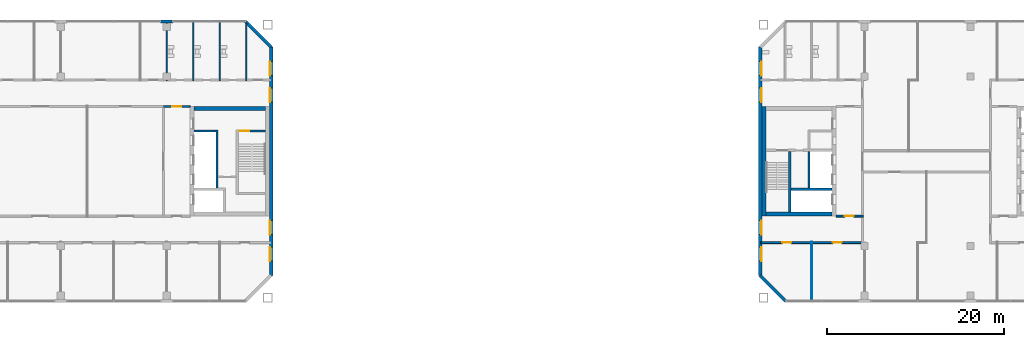
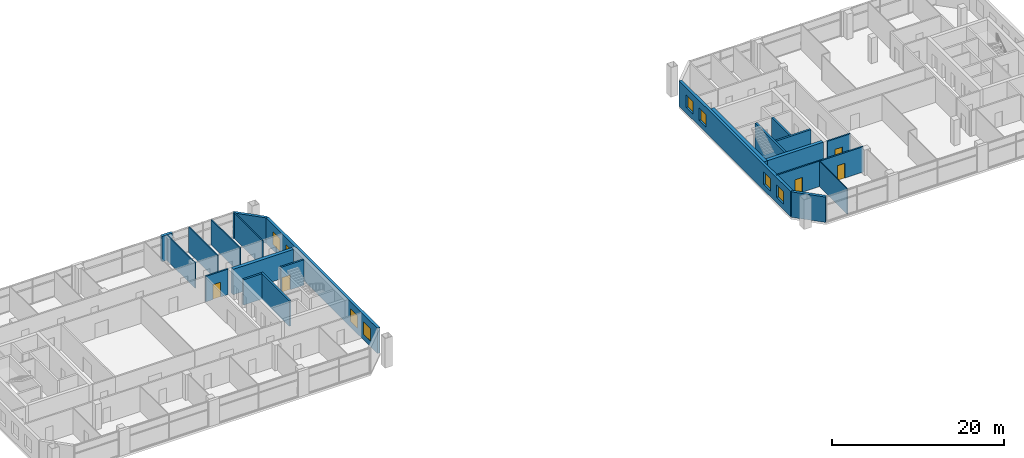
# One storey, part 13 of 19: 22 walls, 8 windows, 5 doors, 13 openings.
"""IFC4 building model written with IfcOpenShell, lengths in metres."""

from ifc_helpers import new_model, si_unit, direction, frame, frame_2d, origin, place, context, subcontext, project, spatial, rectangle, extrude, material, layer, layer_set, type_object, element, fill, save


model = new_model("IFC4")

# Units and contexts
model_context = context("Model", 3, precision=1e-05, world=origin(), true_north=direction((0.0, 1.0)))
body_context = subcontext(model_context, "Body", "Model", "MODEL_VIEW")
ifc_project = project(units=[si_unit("LENGTHUNIT", "METRE"), si_unit("AREAUNIT", "SQUARE_METRE"), si_unit("VOLUMEUNIT", "CUBIC_METRE"), si_unit("PLANEANGLEUNIT", "RADIAN"), si_unit("MASSUNIT", "GRAM", prefix="KILO")], contexts=[model_context])

# Site, building, storey
site_placement = place(None, origin())
site = spatial("IfcSite", under=ifc_project, at=site_placement, CompositionType="ELEMENT")
building_placement = place(site_placement, origin())
building = spatial("IfcBuilding", under=site, at=building_placement, Name="Tuart Gate Housing", CompositionType="ELEMENT")
storey_placement = place(building_placement, frame((0.0, 0.0, 171.60009765625)))
storey = spatial("IfcBuildingStorey", under=building, at=storey_placement, Name="L48", CompositionType="ELEMENT", Elevation=171.60009765625)

# Walls
ifc_material_1 = material(Name="Gypsum board on steel studs", Category="steel")
ifc_layer_1 = layer(ifc_material_1, 0.14990234375)
ifc_layer_set_1 = layer_set([ifc_layer_1], Name="Bathroom wall 150")
wall_type_1 = type_object("IfcWallType", Name="Bathroom wall 150", PredefinedType="PLUMBINGWALL", material=ifc_layer_set_1)
for number, where, z_axis, x_axis, name in (
    (1, (64.0, 79.10009765625, 0.0), (0.0, 0.0, 1.0), (0.0, 1.0, 0.0), "Bathroom wall 150"),
    (2, (67.0, 79.10009765625, 0.0), (0.0, 0.0, 1.0), (0.0, 1.0, 0.0), "Bathroom wall 150"),
    (3, (70.0, 79.10009765625, 0.0), (0.0, 0.0, 1.0), (0.0, 1.0, 0.0), "Bathroom wall 150"),
):
    element("IfcWall", number, at=place(storey_placement, frame(where, z_axis=z_axis, x_axis=x_axis)), inside=storey, type_object=wall_type_1, Name=name, PredefinedType="PLUMBINGWALL", context=body_context, shape_type="SweptSolid", body=[
        extrude(rectangle(XDim=6.659912109375, YDim=0.14990234375, at=frame_2d((3.330078125, 0.0))), origin(), (0.0, 0.0, 1.0), 3.599853515625),
    ])
wall_1_placement = place(storey_placement, frame((73.0, 79.10009765625, 0.0), z_axis=(0.0, 0.0, 1.0), x_axis=(0.0, 1.0, 0.0)))
element("IfcWall", 4, at=wall_1_placement, inside=storey, type_object=wall_type_1, Name="Bathroom wall 150", PredefinedType="PLUMBINGWALL", context=body_context, shape_type="SweptSolid", body=[
    extrude(rectangle(XDim=6.510986328125, YDim=0.14990234375, at=frame_2d((3.25537109375, 0.0))), origin(), (0.0, 0.0, 1.0), 3.599853515625),
])

# Wall, openings, windows
ifc_material_2 = material(Name="Brick", Category="masonry")
ifc_layer_2 = layer(ifc_material_2, 0.360107421875)
ifc_layer_set_2 = layer_set([ifc_layer_2], Name="Brick pier and spandrel wall 360")
wall_type_2 = type_object("IfcWallType", Name="Brick pier and spandrel wall 360", PredefinedType="STANDARD", material=ifc_layer_set_2)
wall_2_placement = place(storey_placement, frame((75.820068359375, 57.07470703125, 0.0), z_axis=(0.0, 0.0, 1.0), x_axis=(0.0, 1.0, 0.0)))
wall_2 = element("IfcWall", 5, at=wall_2_placement, inside=storey, type_object=wall_type_2, Name="External wall A-E L48", PredefinedType="STANDARD", context=body_context, shape_type="SweptSolid", body=[
    extrude(rectangle(XDim=25.850830078125, YDim=0.360107421875, at=frame_2d((12.92529296875, 0.0))), origin(), (0.0, 0.0, 1.0), 3.599853515625),
])
opening_1_placement = place(wall_2_placement, frame((1.62548828125, 0.0, 0.800048828125)))
opening_1 = element("IfcOpeningElement", 6, at=opening_1_placement, cuts=wall_2, Name="Opening W1", PredefinedType="OPENING", context=body_context, shape_type="SweptSolid", body=[
    extrude(rectangle(XDim=1.60009765625, YDim=1.800048828125, at=frame_2d((0.800048828125, 0.89990234375))), frame((0.0, 0.18994140625, 0.0), z_axis=(0.0, -1.0, 0.0), x_axis=(1.0, 0.0, 0.0)), (0.0, 0.0, 1.0), 0.380126953125),
])
opening_2_placement = place(wall_2_placement, frame((4.62548828125, 0.0, 0.800048828125)))
opening_2 = element("IfcOpeningElement", 7, at=opening_2_placement, cuts=wall_2, Name="Opening W1", PredefinedType="OPENING", context=body_context, shape_type="SweptSolid", body=[
    extrude(rectangle(XDim=1.60009765625, YDim=1.800048828125, at=frame_2d((0.800048828125, 0.89990234375))), frame((0.0, 0.18994140625, 0.0), z_axis=(0.0, -1.0, 0.0), x_axis=(1.0, 0.0, 0.0)), (0.0, 0.0, 1.0), 0.380126953125),
])
opening_3_placement = place(wall_2_placement, frame((19.62548828125, 0.0, 0.800048828125)))
opening_3 = element("IfcOpeningElement", 8, at=opening_3_placement, cuts=wall_2, Name="Opening W1", PredefinedType="OPENING", context=body_context, shape_type="SweptSolid", body=[
    extrude(rectangle(XDim=1.60009765625, YDim=1.800048828125, at=frame_2d((0.800048828125, 0.89990234375))), frame((0.0, 0.18994140625, 0.0), z_axis=(0.0, -1.0, 0.0), x_axis=(1.0, 0.0, 0.0)), (0.0, 0.0, 1.0), 0.380126953125),
])
opening_4_placement = place(wall_2_placement, frame((22.62548828125, 0.0, 0.800048828125)))
opening_4 = element("IfcOpeningElement", 9, at=opening_4_placement, cuts=wall_2, Name="Opening W1", PredefinedType="OPENING", context=body_context, shape_type="SweptSolid", body=[
    extrude(rectangle(XDim=1.60009765625, YDim=1.800048828125, at=frame_2d((0.800048828125, 0.89990234375))), frame((0.0, 0.18994140625, 0.0), z_axis=(0.0, -1.0, 0.0), x_axis=(1.0, 0.0, 0.0)), (0.0, 0.0, 1.0), 0.380126953125),
])
ifc_material_3 = material(Name="Aluminium frame with clear glass", Category="aluminium")
window_type = type_object("IfcWindowType", Name="Punched window 1600 x 1800", PartitioningType="SINGLE_PANEL", PredefinedType="WINDOW", material=ifc_material_3)
window_1_placement = place(opening_1_placement, origin())
window_1 = element("IfcWindow", 10, at=window_1_placement, inside=storey, type_object=window_type, Name="Window W1", OverallHeight=1.800048828125, OverallWidth=1.60009765625, PartitioningType="SINGLE_PANEL", PredefinedType="WINDOW", context=body_context, shape_type="SweptSolid", body=[
    extrude(rectangle(XDim=1.60009765625, YDim=1.800048828125, at=frame_2d((0.800048828125, 0.89990234375))), frame((0.0, 0.150146484375, 0.0), z_axis=(0.0, -1.0, 0.0), x_axis=(1.0, 0.0, 0.0)), (0.0, 0.0, 1.0), 0.06005859375),
])
fill(opening_1, window_1)
window_2_placement = place(opening_2_placement, origin())
window_2 = element("IfcWindow", 11, at=window_2_placement, inside=storey, type_object=window_type, Name="Window W1", OverallHeight=1.800048828125, OverallWidth=1.60009765625, PartitioningType="SINGLE_PANEL", PredefinedType="WINDOW", context=body_context, shape_type="SweptSolid", body=[
    extrude(rectangle(XDim=1.60009765625, YDim=1.800048828125, at=frame_2d((0.800048828125, 0.89990234375))), frame((0.0, 0.150146484375, 0.0), z_axis=(0.0, -1.0, 0.0), x_axis=(1.0, 0.0, 0.0)), (0.0, 0.0, 1.0), 0.06005859375),
])
fill(opening_2, window_2)
window_3_placement = place(opening_3_placement, origin())
window_3 = element("IfcWindow", 12, at=window_3_placement, inside=storey, type_object=window_type, Name="Window W1", OverallHeight=1.800048828125, OverallWidth=1.60009765625, PartitioningType="SINGLE_PANEL", PredefinedType="WINDOW", context=body_context, shape_type="SweptSolid", body=[
    extrude(rectangle(XDim=1.60009765625, YDim=1.800048828125, at=frame_2d((0.800048828125, 0.89990234375))), frame((0.0, 0.150146484375, 0.0), z_axis=(0.0, -1.0, 0.0), x_axis=(1.0, 0.0, 0.0)), (0.0, 0.0, 1.0), 0.06005859375),
])
fill(opening_3, window_3)
window_4_placement = place(opening_4_placement, origin())
window_4 = element("IfcWindow", 13, at=window_4_placement, inside=storey, type_object=window_type, Name="Window W1", OverallHeight=1.800048828125, OverallWidth=1.60009765625, PartitioningType="SINGLE_PANEL", PredefinedType="WINDOW", context=body_context, shape_type="SweptSolid", body=[
    extrude(rectangle(XDim=1.60009765625, YDim=1.800048828125, at=frame_2d((0.800048828125, 0.89990234375))), frame((0.0, 0.150146484375, 0.0), z_axis=(0.0, -1.0, 0.0), x_axis=(1.0, 0.0, 0.0)), (0.0, 0.0, 1.0), 0.06005859375),
])
fill(opening_4, window_4)

# Walls
wall_3_placement = place(storey_placement, frame((75.820068359375, 82.92529296875, 0.0), z_axis=(0.0, 0.0, 1.0), x_axis=(-0.707106781187, 0.707106781187, 0.0)))
element("IfcWall", 14, at=wall_3_placement, inside=storey, type_object=wall_type_2, Name="External wall A-NE L48", PredefinedType="STANDARD", context=body_context, shape_type="SweptSolid", body=[
    extrude(rectangle(XDim=4.09375, YDim=0.360107421875, at=frame_2d((2.046875, 0.0))), origin(), (0.0, 0.0, 1.0), 3.599853515625),
])
wall_4_placement = place(storey_placement, frame((64.699951171875, 85.820068359375, 0.0), z_axis=(0.0, 0.0, 1.0), x_axis=(-1.0, 0.0, 0.0)))
element("IfcWall", 15, at=wall_4_placement, inside=storey, type_object=wall_type_2, Name="External wall A-N L48", PredefinedType="STANDARD", context=body_context, shape_type="SweptSolid", body=[
    extrude(rectangle(XDim=1.39990234375, YDim=0.360107421875, at=frame_2d((0.699951171875, 0.0))), origin(), (0.0, 0.0, 1.0), 3.599853515625),
])
wall_5_placement = place(storey_placement, frame((131.179931640625, 57.07470703125, 0.0), z_axis=(0.0, 0.0, 1.0), x_axis=(0.707106781187, -0.707106781187, 0.0)))
element("IfcWall", 16, at=wall_5_placement, inside=storey, type_object=wall_type_2, Name="External wall B-SW L48", PredefinedType="STANDARD", context=body_context, shape_type="SweptSolid", body=[
    extrude(rectangle(XDim=4.09375, YDim=0.360107421875, at=frame_2d((2.046875, 0.0))), origin(), (0.0, 0.0, 1.0), 3.599853515625),
])

# Wall, openings, windows
wall_6_placement = place(storey_placement, frame((131.179931640625, 82.92529296875, 0.0), z_axis=(0.0, 0.0, 1.0), x_axis=(0.0, -1.0, 0.0)))
wall_6 = element("IfcWall", 17, at=wall_6_placement, inside=storey, type_object=wall_type_2, Name="External wall B-W L48", PredefinedType="STANDARD", context=body_context, shape_type="SweptSolid", body=[
    extrude(rectangle(XDim=25.850830078125, YDim=0.360107421875, at=frame_2d((12.92529296875, 0.0))), origin(), (0.0, 0.0, 1.0), 3.599853515625),
])
opening_5_placement = place(wall_6_placement, frame((1.62548828125, 0.0, 0.800048828125)))
opening_5 = element("IfcOpeningElement", 18, at=opening_5_placement, cuts=wall_6, Name="Opening W1", PredefinedType="OPENING", context=body_context, shape_type="SweptSolid", body=[
    extrude(rectangle(XDim=1.60009765625, YDim=1.800048828125, at=frame_2d((0.800048828125, 0.89990234375))), frame((0.0, 0.18994140625, 0.0), z_axis=(0.0, -1.0, 0.0), x_axis=(1.0, 0.0, 0.0)), (0.0, 0.0, 1.0), 0.380126953125),
])
opening_6_placement = place(wall_6_placement, frame((4.62548828125, 0.0, 0.800048828125)))
opening_6 = element("IfcOpeningElement", 19, at=opening_6_placement, cuts=wall_6, Name="Opening W1", PredefinedType="OPENING", context=body_context, shape_type="SweptSolid", body=[
    extrude(rectangle(XDim=1.60009765625, YDim=1.800048828125, at=frame_2d((0.800048828125, 0.89990234375))), frame((0.0, 0.18994140625, 0.0), z_axis=(0.0, -1.0, 0.0), x_axis=(1.0, 0.0, 0.0)), (0.0, 0.0, 1.0), 0.380126953125),
])
opening_7_placement = place(wall_6_placement, frame((19.62548828125, 0.0, 0.800048828125)))
opening_7 = element("IfcOpeningElement", 20, at=opening_7_placement, cuts=wall_6, Name="Opening W1", PredefinedType="OPENING", context=body_context, shape_type="SweptSolid", body=[
    extrude(rectangle(XDim=1.60009765625, YDim=1.800048828125, at=frame_2d((0.800048828125, 0.89990234375))), frame((0.0, 0.18994140625, 0.0), z_axis=(0.0, -1.0, 0.0), x_axis=(1.0, 0.0, 0.0)), (0.0, 0.0, 1.0), 0.380126953125),
])
opening_8_placement = place(wall_6_placement, frame((22.62548828125, 0.0, 0.800048828125)))
opening_8 = element("IfcOpeningElement", 21, at=opening_8_placement, cuts=wall_6, Name="Opening W1", PredefinedType="OPENING", context=body_context, shape_type="SweptSolid", body=[
    extrude(rectangle(XDim=1.60009765625, YDim=1.800048828125, at=frame_2d((0.800048828125, 0.89990234375))), frame((0.0, 0.18994140625, 0.0), z_axis=(0.0, -1.0, 0.0), x_axis=(1.0, 0.0, 0.0)), (0.0, 0.0, 1.0), 0.380126953125),
])
window_5_placement = place(opening_5_placement, origin())
window_5 = element("IfcWindow", 22, at=window_5_placement, inside=storey, type_object=window_type, Name="Window W1", OverallHeight=1.800048828125, OverallWidth=1.60009765625, PartitioningType="SINGLE_PANEL", PredefinedType="WINDOW", context=body_context, shape_type="SweptSolid", body=[
    extrude(rectangle(XDim=1.60009765625, YDim=1.800048828125, at=frame_2d((0.800048828125, 0.89990234375))), frame((0.0, 0.150146484375, 0.0), z_axis=(0.0, -1.0, 0.0), x_axis=(1.0, 0.0, 0.0)), (0.0, 0.0, 1.0), 0.06005859375),
])
fill(opening_5, window_5)
window_6_placement = place(opening_6_placement, origin())
window_6 = element("IfcWindow", 23, at=window_6_placement, inside=storey, type_object=window_type, Name="Window W1", OverallHeight=1.800048828125, OverallWidth=1.60009765625, PartitioningType="SINGLE_PANEL", PredefinedType="WINDOW", context=body_context, shape_type="SweptSolid", body=[
    extrude(rectangle(XDim=1.60009765625, YDim=1.800048828125, at=frame_2d((0.800048828125, 0.89990234375))), frame((0.0, 0.150146484375, 0.0), z_axis=(0.0, -1.0, 0.0), x_axis=(1.0, 0.0, 0.0)), (0.0, 0.0, 1.0), 0.06005859375),
])
fill(opening_6, window_6)
window_7_placement = place(opening_7_placement, origin())
window_7 = element("IfcWindow", 24, at=window_7_placement, inside=storey, type_object=window_type, Name="Window W1", OverallHeight=1.800048828125, OverallWidth=1.60009765625, PartitioningType="SINGLE_PANEL", PredefinedType="WINDOW", context=body_context, shape_type="SweptSolid", body=[
    extrude(rectangle(XDim=1.60009765625, YDim=1.800048828125, at=frame_2d((0.800048828125, 0.89990234375))), frame((0.0, 0.150146484375, 0.0), z_axis=(0.0, -1.0, 0.0), x_axis=(1.0, 0.0, 0.0)), (0.0, 0.0, 1.0), 0.06005859375),
])
fill(opening_7, window_7)
window_8_placement = place(opening_8_placement, origin())
window_8 = element("IfcWindow", 25, at=window_8_placement, inside=storey, type_object=window_type, Name="Window W1", OverallHeight=1.800048828125, OverallWidth=1.60009765625, PartitioningType="SINGLE_PANEL", PredefinedType="WINDOW", context=body_context, shape_type="SweptSolid", body=[
    extrude(rectangle(XDim=1.60009765625, YDim=1.800048828125, at=frame_2d((0.800048828125, 0.89990234375))), frame((0.0, 0.150146484375, 0.0), z_axis=(0.0, -1.0, 0.0), x_axis=(1.0, 0.0, 0.0)), (0.0, 0.0, 1.0), 0.06005859375),
])
fill(opening_8, window_8)

# Wall
ifc_material_4 = material(Name="Concrete C40", Category="concrete")
ifc_layer_3 = layer(ifc_material_4, 0.25)
ifc_layer_set_3 = layer_set([ifc_layer_3], Name="Core wall 250 C40")
wall_type_3 = type_object("IfcWallType", Name="Core wall 250 C40", PredefinedType="SHEAR", material=ifc_layer_set_3)
wall_7_placement = place(storey_placement, frame((67.090087890625, 73.449951171875, 0.0), z_axis=(0.0, 0.0, 1.0), x_axis=(1.0, 0.0, 0.0)))
element("IfcWall", 26, at=wall_7_placement, inside=storey, type_object=wall_type_3, Name="Core wall AG.4", PredefinedType="SHEAR", context=body_context, shape_type="SweptSolid", body=[
    extrude(rectangle(XDim=2.474853515625, YDim=0.25, at=frame_2d((1.2373046875, 0.0))), origin(), (0.0, 0.0, 1.0), 3.599853515625),
])

# Wall, opening, door
wall_8_placement = place(storey_placement, frame((72.114990234375, 73.449951171875, 0.0), z_axis=(0.0, 0.0, 1.0), x_axis=(1.0, 0.0, 0.0)))
wall_8 = element("IfcWall", 27, at=wall_8_placement, inside=storey, type_object=wall_type_3, Name="Core wall AG.5", PredefinedType="SHEAR", context=body_context, shape_type="SweptSolid", body=[
    extrude(rectangle(XDim=3.074951171875, YDim=0.25, at=frame_2d((1.53759765625, 0.0))), origin(), (0.0, 0.0, 1.0), 3.599853515625),
])
opening_9_placement = place(wall_8_placement, frame((0.14990234375, 0.0, 0.0)))
opening_9 = element("IfcOpeningElement", 28, at=opening_9_placement, cuts=wall_8, Name="Opening D222", PredefinedType="OPENING", context=body_context, shape_type="SweptSolid", body=[
    extrude(rectangle(XDim=1.10009765625, YDim=2.10009765625, at=frame_2d((0.550048828125, 1.050048828125))), frame((0.0, 0.135009765625, 0.0), z_axis=(0.0, -1.0, 0.0), x_axis=(1.0, 0.0, 0.0)), (0.0, 0.0, 1.0), 0.27001953125),
])
ifc_material_5 = material(Name="Steel fire door", Category="steel")
door_type_1 = type_object("IfcDoorType", Name="Stair door 1100 x 2100 RH", OperationType="SINGLE_SWING_RIGHT", PredefinedType="DOOR", material=ifc_material_5)
door_1_placement = place(opening_9_placement, frame((1.10009765625, 0.0, 0.0), z_axis=(0.0, 0.0, 1.0), x_axis=(-1.0, 0.0, 0.0)))
door_1 = element("IfcDoor", 29, at=door_1_placement, inside=storey, type_object=door_type_1, Name="Stair door AG.SD", OperationType="SINGLE_SWING_RIGHT", OverallHeight=2.10009765625, OverallWidth=1.10009765625, PredefinedType="DOOR", context=body_context, shape_type="SweptSolid", body=[
    extrude(rectangle(XDim=1.10009765625, YDim=2.10009765625, at=frame_2d((0.550048828125, 1.050048828125))), frame((0.0, 0.025146484375, 0.0), z_axis=(0.0, -1.0, 0.0), x_axis=(1.0, 0.0, 0.0)), (0.0, 0.0, 1.0), 0.050048828125),
])
fill(opening_9, door_1)

# Walls
wall_9_placement = place(storey_placement, frame((69.68994140625, 66.97509765625, 0.0), z_axis=(0.0, 0.0, 1.0), x_axis=(0.0, 1.0, 0.0)))
element("IfcWall", 30, at=wall_9_placement, inside=storey, type_object=wall_type_3, Name="Core wall AG.6", PredefinedType="SHEAR", context=body_context, shape_type="SweptSolid", body=[
    extrude(rectangle(XDim=6.599853515625, YDim=0.25, at=frame_2d((3.2998046875, 0.0))), origin(), (0.0, 0.0, 1.0), 3.599853515625),
])
wall_10_placement = place(storey_placement, frame((139.31005859375, 66.85009765625, 0.0), z_axis=(0.0, 0.0, 1.0), x_axis=(-1.0, 0.0, 0.0)))
element("IfcWall", 31, at=wall_10_placement, inside=storey, type_object=wall_type_3, Name="Core wall BG.1", PredefinedType="SHEAR", context=body_context, shape_type="SweptSolid", body=[
    extrude(rectangle(XDim=4.675048828125, YDim=0.25, at=frame_2d((2.33740234375, 0.0))), origin(), (0.0, 0.0, 1.0), 3.599853515625),
])
wall_11_placement = place(storey_placement, frame((136.7099609375, 66.97509765625, 0.0), z_axis=(0.0, 0.0, 1.0), x_axis=(0.0, 1.0, 0.0)))
element("IfcWall", 32, at=wall_11_placement, inside=storey, type_object=wall_type_3, Name="Core wall BG.4", PredefinedType="SHEAR", context=body_context, shape_type="SweptSolid", body=[
    extrude(rectangle(XDim=4.14990234375, YDim=0.25, at=frame_2d((2.074951171875, 0.0))), origin(), (0.0, 0.0, 1.0), 3.599853515625),
])
wall_12_placement = place(storey_placement, frame((134.510009765625, 64.25, 0.0), z_axis=(0.0, 0.0, 1.0), x_axis=(0.0, 1.0, 0.0)))
element("IfcWall", 33, at=wall_12_placement, inside=storey, type_object=wall_type_3, Name="Core wall BG.6", PredefinedType="SHEAR", context=body_context, shape_type="SweptSolid", body=[
    extrude(rectangle(XDim=6.875, YDim=0.25, at=frame_2d((3.4375, 0.0))), origin(), (0.0, 0.0, 1.0), 3.599853515625),
])
ifc_material_6 = material(Name="Concrete C40", Category="concrete")
ifc_layer_4 = layer(ifc_material_6, 0.449951171875)
ifc_layer_set_4 = layer_set([ifc_layer_4], Name="Core wall 450 C40")
wall_type_4 = type_object("IfcWallType", Name="Core wall 450 C40", PredefinedType="SHEAR", material=ifc_layer_set_4)
wall_13_placement = place(storey_placement, frame((67.090087890625, 75.97509765625, 0.0), z_axis=(0.0, 0.0, 1.0), x_axis=(1.0, 0.0, 0.0)))
element("IfcWall", 34, at=wall_13_placement, inside=storey, type_object=wall_type_4, Name="Core wall AG north", PredefinedType="SHEAR", context=body_context, shape_type="SweptSolid", body=[
    extrude(rectangle(XDim=8.099853515625, YDim=0.449951171875, at=frame_2d((4.0498046875, 0.0))), origin(), (0.0, 0.0, 1.0), 3.599853515625),
])
wall_14_placement = place(storey_placement, frame((131.5849609375, 63.800048828125, 0.0), z_axis=(0.0, 0.0, 1.0), x_axis=(0.0, 1.0, 0.0)))
element("IfcWall", 35, at=wall_14_placement, inside=storey, type_object=wall_type_4, Name="Core wall BG back", PredefinedType="SHEAR", context=body_context, shape_type="SweptSolid", body=[
    extrude(rectangle(XDim=12.39990234375, YDim=0.449951171875, at=frame_2d((6.199951171875, 0.0))), origin(), (0.0, 0.0, 1.0), 3.599853515625),
])
wall_15_placement = place(storey_placement, frame((139.31005859375, 64.02490234375, 0.0), z_axis=(0.0, 0.0, 1.0), x_axis=(-1.0, 0.0, 0.0)))
element("IfcWall", 36, at=wall_15_placement, inside=storey, type_object=wall_type_4, Name="Core wall BG south", PredefinedType="SHEAR", context=body_context, shape_type="SweptSolid", body=[
    extrude(rectangle(XDim=7.5, YDim=0.449951171875, at=frame_2d((3.75, 0.0))), origin(), (0.0, 0.0, 1.0), 3.599853515625),
])

# Wall, openings, doors
ifc_material_7 = material(Name="Concrete masonry 15 MPa", Category="masonry")
ifc_layer_5 = layer(ifc_material_7, 0.199951171875)
ifc_layer_set_5 = layer_set([ifc_layer_5], Name="Corridor wall masonry 200")
wall_type_5 = type_object("IfcWallType", Name="Corridor wall masonry 200", PredefinedType="PARTITIONING", material=ifc_layer_set_5)
wall_16_placement = place(storey_placement, frame((131.239990234375, 60.800048828125, 0.0), z_axis=(0.0, 0.0, 1.0), x_axis=(1.0, 0.0, 0.0)))
wall_16 = element("IfcWall", 37, at=wall_16_placement, inside=storey, type_object=wall_type_5, Name="Corridor wall masonry 200", PredefinedType="PARTITIONING", context=body_context, shape_type="SweptSolid", body=[
    extrude(rectangle(XDim=11.6220703125, YDim=0.199951171875, at=frame_2d((5.81103515625, 0.0))), origin(), (0.0, 0.0, 1.0), 3.599853515625),
])
opening_10_placement = place(wall_16_placement, frame((2.43994140625, 0.0, 0.0)))
opening_10 = element("IfcOpeningElement", 38, at=opening_10_placement, cuts=wall_16, Name="Opening D272", PredefinedType="OPENING", context=body_context, shape_type="SweptSolid", body=[
    extrude(rectangle(XDim=1.0, YDim=2.10009765625, at=frame_2d((0.5, 1.050048828125))), frame((0.0, 0.10986328125, 0.0), z_axis=(0.0, -1.0, 0.0), x_axis=(1.0, 0.0, 0.0)), (0.0, 0.0, 1.0), 0.219970703125),
])
opening_11_placement = place(wall_16_placement, frame((8.14111328125, 0.0, 0.0)))
opening_11 = element("IfcOpeningElement", 39, at=opening_11_placement, cuts=wall_16, Name="Opening D273", PredefinedType="OPENING", context=body_context, shape_type="SweptSolid", body=[
    extrude(rectangle(XDim=1.0, YDim=2.10009765625, at=frame_2d((0.5, 1.050048828125))), frame((0.0, 0.10986328125, 0.0), z_axis=(0.0, -1.0, 0.0), x_axis=(1.0, 0.0, 0.0)), (0.0, 0.0, 1.0), 0.219970703125),
])
ifc_material_8 = material(Name="Timber door leaf in steel frame", Category="steel")
door_type_2 = type_object("IfcDoorType", Name="Fire door 1000 RH", OperationType="SINGLE_SWING_RIGHT", PredefinedType="DOOR", material=ifc_material_8)
door_2_placement = place(opening_10_placement, frame((1.0, 0.0, 0.0), z_axis=(0.0, 0.0, 1.0), x_axis=(-1.0, 0.0, 0.0)))
door_2 = element("IfcDoor", 40, at=door_2_placement, inside=storey, type_object=door_type_2, Name="Fire door 1000", OperationType="SINGLE_SWING_RIGHT", OverallHeight=2.10009765625, OverallWidth=1.0, PredefinedType="DOOR", context=body_context, shape_type="SweptSolid", body=[
    extrude(rectangle(XDim=1.0, YDim=2.10009765625, at=frame_2d((0.5, 1.050048828125))), frame((0.0, 0.025146484375, 0.0), z_axis=(0.0, -1.0, 0.0), x_axis=(1.0, 0.0, 0.0)), (0.0, 0.0, 1.0), 0.050048828125),
])
fill(opening_10, door_2)
door_3_placement = place(opening_11_placement, frame((1.0, 0.0, 0.0), z_axis=(0.0, 0.0, 1.0), x_axis=(-1.0, 0.0, 0.0)))
door_3 = element("IfcDoor", 41, at=door_3_placement, inside=storey, type_object=door_type_2, Name="Fire door 1000", OperationType="SINGLE_SWING_RIGHT", OverallHeight=2.10009765625, OverallWidth=1.0, PredefinedType="DOOR", context=body_context, shape_type="SweptSolid", body=[
    extrude(rectangle(XDim=1.0, YDim=2.10009765625, at=frame_2d((0.5, 1.050048828125))), frame((0.0, 0.025146484375, 0.0), z_axis=(0.0, -1.0, 0.0), x_axis=(1.0, 0.0, 0.0)), (0.0, 0.0, 1.0), 0.050048828125),
])
fill(opening_11, door_3)

# Wall, opening, door
ifc_material_9 = material(Name="Concrete masonry 15 MPa", Category="masonry")
ifc_layer_6 = layer(ifc_material_9, 0.199951171875)
ifc_layer_set_6 = layer_set([ifc_layer_6], Name="Enclosure wall masonry 200")
wall_type_6 = type_object("IfcWallType", Name="Enclosure wall masonry 200", PredefinedType="PARTITIONING", material=ifc_layer_set_6)
wall_17_placement = place(storey_placement, frame((139.760009765625, 63.800048828125, 0.0), z_axis=(0.0, 0.0, 1.0), x_axis=(1.0, 0.0, 0.0)))
wall_17 = element("IfcWall", 42, at=wall_17_placement, inside=storey, type_object=wall_type_6, Name="Enclosure wall masonry 200", PredefinedType="PARTITIONING", context=body_context, shape_type="SweptSolid", body=[
    extrude(rectangle(XDim=3.10009765625, YDim=0.199951171875, at=frame_2d((1.550048828125, 0.0))), origin(), (0.0, 0.0, 1.0), 3.599853515625),
])
opening_12_placement = place(wall_17_placement, frame((1.0, 0.0, 0.0)))
opening_12 = element("IfcOpeningElement", 43, at=opening_12_placement, cuts=wall_17, Name="Opening D268", PredefinedType="OPENING", context=body_context, shape_type="SweptSolid", body=[
    extrude(rectangle(XDim=1.0, YDim=2.10009765625, at=frame_2d((0.5, 1.050048828125))), frame((0.0, 0.10986328125, 0.0), z_axis=(0.0, -1.0, 0.0), x_axis=(1.0, 0.0, 0.0)), (0.0, 0.0, 1.0), 0.219970703125),
])
ifc_material_10 = material(Name="Timber door leaf in steel frame", Category="steel")
door_type_3 = type_object("IfcDoorType", Name="Lobby door 1000", OperationType="SINGLE_SWING_LEFT", PredefinedType="DOOR", material=ifc_material_10)
door_4_placement = place(opening_12_placement, frame((1.0, 0.0, 0.0), z_axis=(0.0, 0.0, 1.0), x_axis=(-1.0, 0.0, 0.0)))
door_4 = element("IfcDoor", 44, at=door_4_placement, inside=storey, type_object=door_type_3, Name="Lobby door 1000", OperationType="SINGLE_SWING_LEFT", OverallHeight=2.10009765625, OverallWidth=1.0, PredefinedType="DOOR", context=body_context, shape_type="SweptSolid", body=[
    extrude(rectangle(XDim=1.0, YDim=2.10009765625, at=frame_2d((0.5, 1.050048828125))), frame((0.0, 0.025146484375, 0.0), z_axis=(0.0, -1.0, 0.0), x_axis=(1.0, 0.0, 0.0)), (0.0, 0.0, 1.0), 0.050048828125),
])
fill(opening_12, door_4)

wall_18_placement = place(storey_placement, frame((63.639892578125, 76.199951171875, 0.0), z_axis=(0.0, 0.0, 1.0), x_axis=(1.0, 0.0, 0.0)))
wall_18 = element("IfcWall", 45, at=wall_18_placement, inside=storey, type_object=wall_type_6, Name="Enclosure wall masonry 200", PredefinedType="PARTITIONING", context=body_context, shape_type="SweptSolid", body=[
    extrude(rectangle(XDim=3.0, YDim=0.199951171875, at=frame_2d((1.5, 0.0))), origin(), (0.0, 0.0, 1.0), 3.599853515625),
])
opening_13_placement = place(wall_18_placement, frame((1.0, 0.0, 0.0)))
opening_13 = element("IfcOpeningElement", 46, at=opening_13_placement, cuts=wall_18, Name="Opening D220", PredefinedType="OPENING", context=body_context, shape_type="SweptSolid", body=[
    extrude(rectangle(XDim=1.0, YDim=2.10009765625, at=frame_2d((0.5, 1.050048828125))), frame((0.0, 0.10986328125, 0.0), z_axis=(0.0, -1.0, 0.0), x_axis=(1.0, 0.0, 0.0)), (0.0, 0.0, 1.0), 0.219970703125),
])
ifc_material_11 = material(Name="Timber door leaf in steel frame", Category="steel")
door_type_4 = type_object("IfcDoorType", Name="Lobby door 1000 RH", OperationType="SINGLE_SWING_RIGHT", PredefinedType="DOOR", material=ifc_material_11)
door_5_placement = place(opening_13_placement, frame((1.0, 0.0, 0.0), z_axis=(0.0, 0.0, 1.0), x_axis=(-1.0, 0.0, 0.0)))
door_5 = element("IfcDoor", 47, at=door_5_placement, inside=storey, type_object=door_type_4, Name="Lobby door 1000", OperationType="SINGLE_SWING_RIGHT", OverallHeight=2.10009765625, OverallWidth=1.0, PredefinedType="DOOR", context=body_context, shape_type="SweptSolid", body=[
    extrude(rectangle(XDim=1.0, YDim=2.10009765625, at=frame_2d((0.5, 1.050048828125))), frame((0.0, 0.025146484375, 0.0), z_axis=(0.0, -1.0, 0.0), x_axis=(1.0, 0.0, 0.0)), (0.0, 0.0, 1.0), 0.050048828125),
])
fill(opening_13, door_5)

# Wall
ifc_material_12 = material(Name="Gypsum board on steel studs", Category="steel")
ifc_layer_7 = layer(ifc_material_12, 0.10009765625)
ifc_layer_set_7 = layer_set([ifc_layer_7], Name="Partition 100")
wall_type_7 = type_object("IfcWallType", Name="Partition 100", PredefinedType="PARTITIONING", material=ifc_layer_set_7)
wall_19_placement = place(storey_placement, frame((137.0, 54.239990234375, 0.0), z_axis=(0.0, 0.0, 1.0), x_axis=(0.0, 1.0, 0.0)))
element("IfcWall", 48, at=wall_19_placement, inside=storey, type_object=wall_type_7, Name="Partition 100", PredefinedType="PARTITIONING", context=body_context, shape_type="SweptSolid", body=[
    extrude(rectangle(XDim=6.659912109375, YDim=0.10009765625, at=frame_2d((3.330078125, 0.0))), origin(), (0.0, 0.0, 1.0), 3.599853515625),
])

save(model, "model.ifc")
